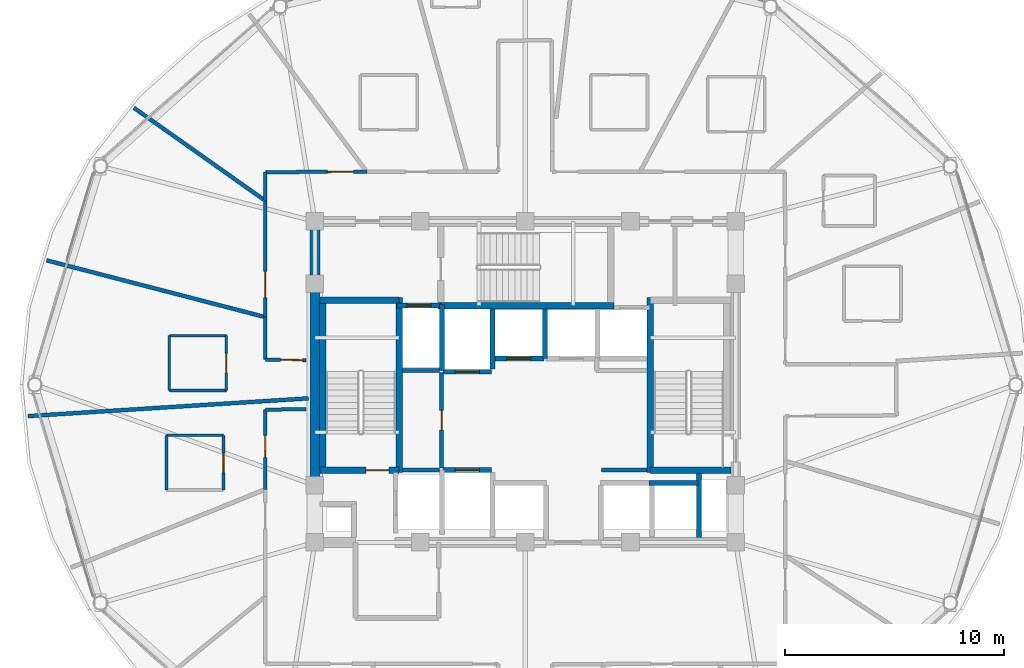
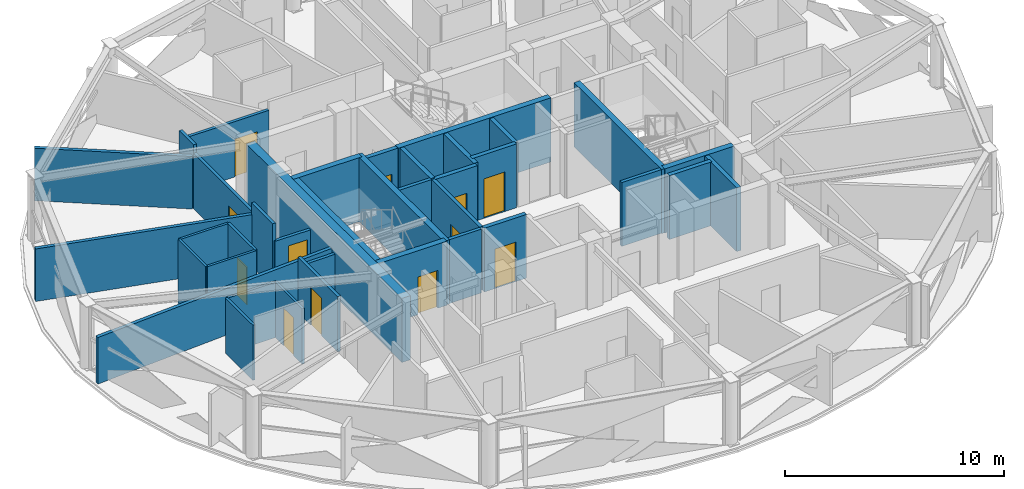
# One storey, part 23 of 30: 38 walls, 12 doors, 12 openings.
"""IFC4 building model written with IfcOpenShell, lengths in metres."""

from ifc_helpers import new_model, si_unit, direction, frame, frame_2d, origin, place, context, subcontext, project, spatial, rectangle, extrude, material, layer, layer_set, type_object, element, fill, save


model = new_model("IFC4")

# Units and contexts
model_context = context("Model", 3, precision=1e-05, world=origin(), true_north=direction((0.0, 1.0)))
body_context = subcontext(model_context, "Body", "Model", "MODEL_VIEW")
ifc_project = project(units=[si_unit("LENGTHUNIT", "METRE"), si_unit("AREAUNIT", "SQUARE_METRE"), si_unit("VOLUMEUNIT", "CUBIC_METRE"), si_unit("PLANEANGLEUNIT", "RADIAN"), si_unit("MASSUNIT", "GRAM", prefix="KILO")], contexts=[model_context])

# Site, building, storey
site_placement = place(None, origin())
site = spatial("IfcSite", under=ifc_project, at=site_placement, CompositionType="ELEMENT")
building_placement = place(site_placement, origin())
building = spatial("IfcBuilding", under=site, at=building_placement, Name="Vantalir Tower", CompositionType="ELEMENT")
storey_placement = place(building_placement, frame((0.0, 0.0, 201.14990234375)))
storey = spatial("IfcBuildingStorey", under=building, at=storey_placement, Name="L50", CompositionType="ELEMENT", Elevation=201.14990234375)

# Walls
ifc_material_1 = material(Name="Moisture-resistant en-suite partition", Category="gypsum")
ifc_layer_1 = layer(ifc_material_1, 0.125)
ifc_layer_set_1 = layer_set([ifc_layer_1], Name="Moisture-resistant en-suite partition")
wall_type_1 = type_object("IfcWallType", Name="WL-BATH-125", PredefinedType="PARTITIONING", material=ifc_layer_set_1)
for number, where, z_axis, x_axis, name in (
    (1, (15.257080078125, 24.73095703125, 0.0), (0.0, 0.0, 1.0), (1.0, 0.0, 0.0), "L50 En-suite 09 South Wall"),
    (2, (15.257080078125, 27.23095703125, 0.0), (0.0, 0.0, 1.0), (1.0, 0.0, 0.0), "L50 En-suite 09 North Wall"),
):
    element("IfcWall", number, at=place(storey_placement, frame(where, z_axis=z_axis, x_axis=x_axis)), inside=storey, type_object=wall_type_1, Name=name, PredefinedType="PARTITIONING", context=body_context, shape_type="SweptSolid", body=[
        extrude(rectangle(XDim=2.599853515625, YDim=0.125, at=frame_2d((1.2998046875, 0.0))), origin(), (0.0, 0.0, 1.0), 3.550048828125),
    ])
wall_1_placement = place(storey_placement, frame((15.257080078125, 24.73095703125, 0.0), z_axis=(0.0, 0.0, 1.0), x_axis=(0.0, 1.0, 0.0)))
element("IfcWall", 3, at=wall_1_placement, inside=storey, type_object=wall_type_1, Name="L50 En-suite 09 West Wall", PredefinedType="PARTITIONING", context=body_context, shape_type="SweptSolid", body=[
    extrude(rectangle(XDim=2.5, YDim=0.125, at=frame_2d((1.25, 0.0))), origin(), (0.0, 0.0, 1.0), 3.550048828125),
])

# Wall, opening, door
wall_2_placement = place(storey_placement, frame((17.85693359375, 24.73095703125, 0.0), z_axis=(0.0, 0.0, 1.0), x_axis=(0.0, 1.0, 0.0)))
wall_2 = element("IfcWall", 4, at=wall_2_placement, inside=storey, type_object=wall_type_1, Name="L50 En-suite 09 East Wall", PredefinedType="PARTITIONING", context=body_context, shape_type="SweptSolid", body=[
    extrude(rectangle(XDim=2.5, YDim=0.125, at=frame_2d((1.25, 0.0))), origin(), (0.0, 0.0, 1.0), 3.550048828125),
])
opening_1_placement = place(wall_2_placement, frame((0.800048828125, 0.0, 0.0)))
opening_1 = element("IfcOpeningElement", 5, at=opening_1_placement, cuts=wall_2, Name="Opening D-WC", PredefinedType="OPENING", context=body_context, shape_type="SweptSolid", body=[
    extrude(rectangle(XDim=0.89990234375, YDim=2.10009765625, at=frame_2d((0.449951171875, 1.050048828125))), frame((0.0, 0.072509765625, 0.0), z_axis=(0.0, -1.0, 0.0), x_axis=(1.0, 0.0, 0.0)), (0.0, 0.0, 1.0), 0.14501953125),
])
ifc_material_2 = material(Name="Moisture-resistant hardwood door", Category="wood")
door_type_1 = type_object("IfcDoorType", Name="DR-ENSUITE-900", OperationType="NOTDEFINED", PredefinedType="DOOR", material=ifc_material_2)
door_1_placement = place(opening_1_placement, origin())
door_1 = element("IfcDoor", 6, at=door_1_placement, inside=storey, type_object=door_type_1, Name="L50 En-suite 09 Door", OperationType="SINGLE_SWING_RIGHT", OverallHeight=2.10009765625, OverallWidth=0.89990234375, PredefinedType="DOOR", context=body_context, shape_type="SweptSolid", body=[
    extrude(rectangle(XDim=0.89990234375, YDim=2.10009765625, at=frame_2d((0.449951171875, 1.050048828125))), frame((0.0, 0.02490234375, 0.0), z_axis=(0.0, -1.0, 0.0), x_axis=(1.0, 0.0, 0.0)), (0.0, 0.0, 1.0), 0.050048828125),
])
fill(opening_1, door_1)

# Walls
wall_3_placement = place(storey_placement, frame((15.1298828125, 22.68896484375, 0.0), z_axis=(0.0, 0.0, 1.0), x_axis=(1.0, 0.0, 0.0)))
element("IfcWall", 7, at=wall_3_placement, inside=storey, type_object=wall_type_1, Name="L50 En-suite 10 North Wall", PredefinedType="PARTITIONING", context=body_context, shape_type="SweptSolid", body=[
    extrude(rectangle(XDim=2.60009765625, YDim=0.125, at=frame_2d((1.300048828125, 0.0))), origin(), (0.0, 0.0, 1.0), 3.0810546875),
])
wall_4_placement = place(storey_placement, frame((15.1298828125, 20.18896484375, 0.0), z_axis=(0.0, 0.0, 1.0), x_axis=(0.0, 1.0, 0.0)))
element("IfcWall", 8, at=wall_4_placement, inside=storey, type_object=wall_type_1, Name="L50 En-suite 10 West Wall", PredefinedType="PARTITIONING", context=body_context, shape_type="SweptSolid", body=[
    extrude(rectangle(XDim=2.5, YDim=0.125, at=frame_2d((1.25, 0.0))), origin(), (0.0, 0.0, 1.0), 3.0810546875),
])

# Wall, opening, door
wall_5_placement = place(storey_placement, frame((17.72998046875, 20.18896484375, 0.0), z_axis=(0.0, 0.0, 1.0), x_axis=(0.0, 1.0, 0.0)))
wall_5 = element("IfcWall", 9, at=wall_5_placement, inside=storey, type_object=wall_type_1, Name="L50 En-suite 10 East Wall", PredefinedType="PARTITIONING", context=body_context, shape_type="SweptSolid", body=[
    extrude(rectangle(XDim=2.5, YDim=0.125, at=frame_2d((1.25, 0.0))), origin(), (0.0, 0.0, 1.0), 3.0810546875),
])
opening_2_placement = place(wall_5_placement, frame((0.800048828125, 0.0, 0.0)))
opening_2 = element("IfcOpeningElement", 10, at=opening_2_placement, cuts=wall_5, Name="Opening D-WC", PredefinedType="OPENING", context=body_context, shape_type="SweptSolid", body=[
    extrude(rectangle(XDim=0.89990234375, YDim=2.10009765625, at=frame_2d((0.449951171875, 1.050048828125))), frame((0.0, 0.072509765625, 0.0), z_axis=(0.0, -1.0, 0.0), x_axis=(1.0, 0.0, 0.0)), (0.0, 0.0, 1.0), 0.14501953125),
])
door_2_placement = place(opening_2_placement, origin())
door_2 = element("IfcDoor", 11, at=door_2_placement, inside=storey, type_object=door_type_1, Name="L50 En-suite 10 Door", OperationType="SINGLE_SWING_LEFT", OverallHeight=2.10009765625, OverallWidth=0.89990234375, PredefinedType="DOOR", context=body_context, shape_type="SweptSolid", body=[
    extrude(rectangle(XDim=0.89990234375, YDim=2.10009765625, at=frame_2d((0.449951171875, 1.050048828125))), frame((0.0, 0.02490234375, 0.0), z_axis=(0.0, -1.0, 0.0), x_axis=(1.0, 0.0, 0.0)), (0.0, 0.0, 1.0), 0.050048828125),
])
fill(opening_2, door_2)

# Wall
ifc_material_3 = material(Name="Concrete C50/60", Category="concrete")
ifc_layer_2 = layer(ifc_material_3, 0.449951171875)
ifc_layer_set_2 = layer_set([ifc_layer_2], Name="Concrete C50/60")
wall_type_2 = type_object("IfcWallType", Name="WL-CORE-450", PredefinedType="SHEAR", material=ifc_layer_set_2)
wall_6_placement = place(storey_placement, frame((21.89990234375, 18.02490234375, 0.0), z_axis=(0.0, 0.0, 1.0), x_axis=(0.0, 1.0, 0.0)))
element("IfcWall", 12, at=wall_6_placement, inside=storey, type_object=wall_type_2, Name="L50 Core Shear Wall West", PredefinedType="SHEAR", context=body_context, shape_type="SweptSolid", body=[
    extrude(rectangle(XDim=14.2001953125, YDim=0.449951171875, at=frame_2d((7.10009765625, 0.0))), origin(), (0.0, 0.0, 1.0), 3.570068359375),
])

# Wall, opening, door
ifc_material_4 = material(Name="Fire-rated hotel corridor acoustic partition", Category="gypsum")
ifc_layer_3 = layer(ifc_material_4, 0.159912109375)
ifc_layer_set_3 = layer_set([ifc_layer_3], Name="Fire-rated hotel corridor acoustic partition")
wall_type_3 = type_object("IfcWallType", Name="WL-CORR-160", PredefinedType="PARTITIONING", material=ifc_layer_set_3)
wall_7_placement = place(storey_placement, frame((21.4951171875, 26.116943359375, 0.0), z_axis=(0.0, 0.0, 1.0), x_axis=(-0.999908537082, 0.013524698532, 0.0)))
wall_7 = element("IfcWall", 13, at=wall_7_placement, inside=storey, type_object=wall_type_3, Name="L50 Corridor Partition 01", PredefinedType="PARTITIONING", context=body_context, shape_type="SweptSolid", body=[
    extrude(rectangle(XDim=1.859375, YDim=0.159912109375, at=frame_2d((0.9296875, 0.0))), origin(), (0.0, 0.0, 1.0), 2.59521484375),
])
opening_3_placement = place(wall_7_placement, frame((0.159912109375, 0.0, 0.0)))
opening_3 = element("IfcOpeningElement", 14, at=opening_3_placement, cuts=wall_7, Name="Opening D-GUEST", PredefinedType="OPENING", context=body_context, shape_type="SweptSolid", body=[
    extrude(rectangle(XDim=1.0, YDim=2.10009765625, at=frame_2d((0.5, 1.050048828125))), frame((0.0, 0.08984375, 0.0), z_axis=(0.0, -1.0, 0.0), x_axis=(1.0, 0.0, 0.0)), (0.0, 0.0, 1.0), 0.179931640625),
])
ifc_material_5 = material(Name="Solid-core teak veneer acoustic fire door", Category="wood")
door_type_2 = type_object("IfcDoorType", Name="DR-GUEST-ENTRY-1000", OperationType="NOTDEFINED", PredefinedType="DOOR", material=ifc_material_5)
door_3_placement = place(opening_3_placement, origin())
door_3 = element("IfcDoor", 15, at=door_3_placement, inside=storey, type_object=door_type_2, Name="L50 Twin Queen Hotel Room 09 Door", OperationType="SINGLE_SWING_RIGHT", OverallHeight=2.10009765625, OverallWidth=1.0, PredefinedType="DOOR", context=body_context, shape_type="SweptSolid", body=[
    extrude(rectangle(XDim=1.0, YDim=2.10009765625, at=frame_2d((0.5, 1.050048828125))), frame((0.0, 0.02490234375, 0.0), z_axis=(0.0, -1.0, 0.0), x_axis=(1.0, 0.0, 0.0)), (0.0, 0.0, 1.0), 0.050048828125),
])
fill(opening_3, door_3)

# Wall
wall_8_placement = place(storey_placement, frame((19.635986328125, 26.14208984375, 0.0), z_axis=(0.0, 0.0, 1.0), x_axis=(0.001008318116, 0.999999491647, 0.0)))
element("IfcWall", 16, at=wall_8_placement, inside=storey, type_object=wall_type_3, Name="L50 Corridor Partition 02", PredefinedType="PARTITIONING", context=body_context, shape_type="SweptSolid", body=[
    extrude(rectangle(XDim=1.93701171875, YDim=0.159912109375, at=frame_2d((0.968505859375, 0.0))), origin(), (0.0, 0.0, 1.0), 3.550048828125),
])

# Wall, opening, door
wall_9_placement = place(storey_placement, frame((19.637939453125, 28.0791015625, 0.0), z_axis=(0.0, 0.0, 1.0), x_axis=(0.000966094226, 0.999999533331, 0.0)))
wall_9 = element("IfcWall", 17, at=wall_9_placement, inside=storey, type_object=wall_type_3, Name="L50 Corridor Partition 03", PredefinedType="PARTITIONING", context=body_context, shape_type="SweptSolid", body=[
    extrude(rectangle(XDim=5.306884765625, YDim=0.159912109375, at=frame_2d((2.6533203125, 0.0))), origin(), (0.0, 0.0, 1.0), 3.0810546875),
])
opening_4_placement = place(wall_9_placement, frame((0.887939453125, 0.0, 0.0)))
opening_4 = element("IfcOpeningElement", 18, at=opening_4_placement, cuts=wall_9, Name="Opening D-STE", PredefinedType="OPENING", context=body_context, shape_type="SweptSolid", body=[
    extrude(rectangle(XDim=1.199951171875, YDim=2.10009765625, at=frame_2d((0.60009765625, 1.050048828125))), frame((0.0, 0.08984375, 0.0), z_axis=(0.0, -1.0, 0.0), x_axis=(1.0, 0.0, 0.0)), (0.0, 0.0, 1.0), 0.179931640625),
])
ifc_material_6 = material(Name="Solid-core teak veneer suite entrance door", Category="wood")
door_type_3 = type_object("IfcDoorType", Name="DR-SUITE-ENTRY-1200", OperationType="NOTDEFINED", PredefinedType="DOOR", material=ifc_material_6)
door_4_placement = place(opening_4_placement, origin())
door_4 = element("IfcDoor", 19, at=door_4_placement, inside=storey, type_object=door_type_3, Name="L50 Club Reading Lounge 08 Door", OperationType="SINGLE_SWING_LEFT", OverallHeight=2.10009765625, OverallWidth=1.199951171875, PredefinedType="DOOR", context=body_context, shape_type="SweptSolid", body=[
    extrude(rectangle(XDim=1.199951171875, YDim=2.10009765625, at=frame_2d((0.60009765625, 1.050048828125))), frame((0.0, 0.02490234375, 0.0), z_axis=(0.0, -1.0, 0.0), x_axis=(1.0, 0.0, 0.0)), (0.0, 0.0, 1.0), 0.050048828125),
])
fill(opening_4, door_4)

# Wall
wall_10_placement = place(storey_placement, frame((19.64306640625, 33.385986328125, 0.0), z_axis=(0.0, 0.0, 1.0), x_axis=(0.000743217929, 0.999999723814, 0.0)))
element("IfcWall", 20, at=wall_10_placement, inside=storey, type_object=wall_type_3, Name="L50 Corridor Partition 04", PredefinedType="PARTITIONING", context=body_context, shape_type="SweptSolid", body=[
    extrude(rectangle(XDim=1.31396484375, YDim=0.159912109375, at=frame_2d((0.656982421875, 0.0))), origin(), (0.0, 0.0, 1.0), 3.550048828125),
])

# Wall, opening, door
wall_11_placement = place(storey_placement, frame((19.64404296875, 34.699951171875, 0.0), z_axis=(0.0, 0.0, 1.0), x_axis=(0.99999882779, 0.001531149208, 0.0)))
wall_11 = element("IfcWall", 21, at=wall_11_placement, inside=storey, type_object=wall_type_3, Name="L50 Corridor Partition 05", PredefinedType="PARTITIONING", context=body_context, shape_type="SweptSolid", body=[
    extrude(rectangle(XDim=4.6240234375, YDim=0.159912109375, at=frame_2d((2.31201171875, 0.0))), origin(), (0.0, 0.0, 1.0), 3.0810546875),
])
opening_5_placement = place(wall_11_placement, frame((2.821044921875, 0.0, 0.0)))
opening_5 = element("IfcOpeningElement", 22, at=opening_5_placement, cuts=wall_11, Name="Opening D-STE", PredefinedType="OPENING", context=body_context, shape_type="SweptSolid", body=[
    extrude(rectangle(XDim=1.199951171875, YDim=2.10009765625, at=frame_2d((0.60009765625, 1.050048828125))), frame((0.0, 0.08984375, 0.0), z_axis=(0.0, -1.0, 0.0), x_axis=(1.0, 0.0, 0.0)), (0.0, 0.0, 1.0), 0.179931640625),
])
door_5_placement = place(opening_5_placement, origin())
door_5 = element("IfcDoor", 23, at=door_5_placement, inside=storey, type_object=door_type_3, Name="L50 Executive Business Study 07 Door", OperationType="SINGLE_SWING_RIGHT", OverallHeight=2.10009765625, OverallWidth=1.199951171875, PredefinedType="DOOR", context=body_context, shape_type="SweptSolid", body=[
    extrude(rectangle(XDim=1.199951171875, YDim=2.10009765625, at=frame_2d((0.60009765625, 1.050048828125))), frame((0.0, 0.02490234375, 0.0), z_axis=(0.0, -1.0, 0.0), x_axis=(1.0, 0.0, 0.0)), (0.0, 0.0, 1.0), 0.050048828125),
])
fill(opening_5, door_5)

wall_12_placement = place(storey_placement, frame((19.636962890625, 20.218994140625, 0.0), z_axis=(0.0, 0.0, 1.0), x_axis=(-0.000537309346, 0.999999855649, 0.0)))
wall_12 = element("IfcWall", 24, at=wall_12_placement, inside=storey, type_object=wall_type_3, Name="L50 Corridor Partition 34", PredefinedType="PARTITIONING", context=body_context, shape_type="SweptSolid", body=[
    extrude(rectangle(XDim=3.635009765625, YDim=0.159912109375, at=frame_2d((1.8173828125, 0.0))), origin(), (0.0, 0.0, 1.0), 3.0810546875),
])
opening_6_placement = place(wall_12_placement, frame((1.4619140625, 0.0, 0.0)))
opening_6 = element("IfcOpeningElement", 25, at=opening_6_placement, cuts=wall_12, Name="Opening D-GUEST", PredefinedType="OPENING", context=body_context, shape_type="SweptSolid", body=[
    extrude(rectangle(XDim=1.0, YDim=2.10009765625, at=frame_2d((0.5, 1.050048828125))), frame((0.0, 0.08984375, 0.0), z_axis=(0.0, -1.0, 0.0), x_axis=(1.0, 0.0, 0.0)), (0.0, 0.0, 1.0), 0.179931640625),
])
door_6_placement = place(opening_6_placement, origin())
door_6 = element("IfcDoor", 26, at=door_6_placement, inside=storey, type_object=door_type_2, Name="L50 Deluxe King Hotel Room 10 Door", OperationType="SINGLE_SWING_LEFT", OverallHeight=2.10009765625, OverallWidth=1.0, PredefinedType="DOOR", context=body_context, shape_type="SweptSolid", body=[
    extrude(rectangle(XDim=1.0, YDim=2.10009765625, at=frame_2d((0.5, 1.050048828125))), frame((0.0, 0.02490234375, 0.0), z_axis=(0.0, -1.0, 0.0), x_axis=(1.0, 0.0, 0.0)), (0.0, 0.0, 1.0), 0.050048828125),
])
fill(opening_6, door_6)

# Walls
wall_13_placement = place(storey_placement, frame((19.635009765625, 23.85400390625, 0.0), z_axis=(0.0, 0.0, 1.0), x_axis=(0.999886107392, 0.015092125259, 0.0)))
element("IfcWall", 27, at=wall_13_placement, inside=storey, type_object=wall_type_3, Name="L50 Corridor Partition 35", PredefinedType="PARTITIONING", context=body_context, shape_type="SweptSolid", body=[
    extrude(rectangle(XDim=1.8603515625, YDim=0.159912109375, at=frame_2d((0.93017578125, 0.0))), origin(), (0.0, 0.0, 1.0), 2.59521484375),
])
ifc_material_7 = material(Name="Concrete blockwork with fireboard lining", Category="masonry")
ifc_layer_4 = layer(ifc_material_7, 0.219970703125)
ifc_layer_set_4 = layer_set([ifc_layer_4], Name="Concrete blockwork with fireboard lining")
wall_type_4 = type_object("IfcWallType", Name="WL-FFL-220", PredefinedType="PARTITIONING", material=ifc_layer_set_4)
wall_14_placement = place(storey_placement, frame((30.0, 25.7099609375, 0.0), z_axis=(0.0, 0.0, 1.0), x_axis=(0.0, 1.0, 0.0)))
element("IfcWall", 28, at=wall_14_placement, inside=storey, type_object=wall_type_4, Name="L50 Service Lift SV2 East Shaft Wall", PredefinedType="PARTITIONING", context=body_context, shape_type="SweptSolid", body=[
    extrude(rectangle(XDim=2.72998046875, YDim=0.219970703125, at=frame_2d((1.364990234375, 0.0))), origin(), (0.0, 0.0, 1.0), 3.545166015625),
])
wall_15_placement = place(storey_placement, frame((32.39990234375, 26.199951171875, 0.0), z_axis=(0.0, 0.0, 1.0), x_axis=(0.0, 1.0, 0.0)))
element("IfcWall", 29, at=wall_15_placement, inside=storey, type_object=wall_type_4, Name="L50 High-Rise Lift PL-H1/H2 Shaft Divider", PredefinedType="PARTITIONING", context=body_context, shape_type="SweptSolid", body=[
    extrude(rectangle(XDim=2.239990234375, YDim=0.219970703125, at=frame_2d((1.1201171875, 0.0))), origin(), (0.0, 0.0, 1.0), 3.545166015625),
])
wall_16_placement = place(storey_placement, frame((39.419921875, 18.02490234375, 0.0), z_axis=(0.0, 0.0, 1.0), x_axis=(0.0, 1.0, 0.0)))
element("IfcWall", 30, at=wall_16_placement, inside=storey, type_object=wall_type_4, Name="L50 East MEP Riser Wall W", PredefinedType="PARTITIONING", context=body_context, shape_type="SweptSolid", body=[
    extrude(rectangle(XDim=2.925048828125, YDim=0.219970703125, at=frame_2d((1.46240234375, 0.0))), origin(), (0.0, 0.0, 1.0), 3.550048828125),
])

# Wall, opening, door
wall_17_placement = place(storey_placement, frame((25.639892578125, 28.610107421875, 0.0), z_axis=(0.0, 0.0, 1.0), x_axis=(1.0, 0.0, 0.0)))
wall_17 = element("IfcWall", 31, at=wall_17_placement, inside=storey, type_object=wall_type_4, Name="L50 Lift FL2 Shaft Front Wall", PredefinedType="PARTITIONING", context=body_context, shape_type="SweptSolid", body=[
    extrude(rectangle(XDim=2.02001953125, YDim=0.219970703125, at=frame_2d((1.010009765625, 0.0))), origin(), (0.0, 0.0, 1.0), 3.550048828125),
])
opening_7_placement = place(wall_17_placement, frame((0.4599609375, 0.0, 0.0)))
opening_7 = element("IfcOpeningElement", 32, at=opening_7_placement, cuts=wall_17, Name="Opening LD-FL2", PredefinedType="OPENING", context=body_context, shape_type="SweptSolid", body=[
    extrude(rectangle(XDim=1.10009765625, YDim=2.199951171875, at=frame_2d((0.550048828125, 1.10009765625))), frame((0.0, 0.119873046875, 0.0), z_axis=(0.0, -1.0, 0.0), x_axis=(1.0, 0.0, 0.0)), (0.0, 0.0, 1.0), 0.239990234375),
])
ifc_material_8 = material(Name="Brushed stainless-steel sliding lift landing door", Category="steel")
door_type_4 = type_object("IfcDoorType", Name="DR-LIFT-LANDING-1100", OperationType="DOUBLE_DOOR_SLIDING", PredefinedType="DOOR", material=ifc_material_8)
door_7_placement = place(opening_7_placement, origin())
door_7 = element("IfcDoor", 33, at=door_7_placement, inside=storey, type_object=door_type_4, Name="L50 Lift Landing Door FL2", OperationType="DOUBLE_DOOR_SLIDING", OverallHeight=2.199951171875, OverallWidth=1.10009765625, PredefinedType="DOOR", context=body_context, shape_type="SweptSolid", body=[
    extrude(rectangle(XDim=1.10009765625, YDim=2.199951171875, at=frame_2d((0.550048828125, 1.10009765625))), frame((0.0, 0.02490234375, 0.0), z_axis=(0.0, -1.0, 0.0), x_axis=(1.0, 0.0, 0.0)), (0.0, 0.0, 1.0), 0.050048828125),
])
fill(opening_7, door_7)

wall_18_placement = place(storey_placement, frame((27.739990234375, 21.110107421875, 0.0), z_axis=(0.0, 0.0, 1.0), x_axis=(1.0, 0.0, 0.0)))
wall_18 = element("IfcWall", 34, at=wall_18_placement, inside=storey, type_object=wall_type_4, Name="L50 Lift SV1 Shaft Front Wall", PredefinedType="PARTITIONING", context=body_context, shape_type="SweptSolid", body=[
    extrude(rectangle(XDim=2.219970703125, YDim=0.219970703125, at=frame_2d((1.10986328125, 0.0))), origin(), (0.0, 0.0, 1.0), 3.550048828125),
])
opening_8_placement = place(wall_18_placement, frame((0.56005859375, 0.0, 0.0)))
opening_8 = element("IfcOpeningElement", 35, at=opening_8_placement, cuts=wall_18, Name="Opening LD-SV1", PredefinedType="OPENING", context=body_context, shape_type="SweptSolid", body=[
    extrude(rectangle(XDim=1.10009765625, YDim=2.199951171875, at=frame_2d((0.550048828125, 1.10009765625))), frame((0.0, 0.119873046875, 0.0), z_axis=(0.0, -1.0, 0.0), x_axis=(1.0, 0.0, 0.0)), (0.0, 0.0, 1.0), 0.239990234375),
])
door_8_placement = place(opening_8_placement, origin())
door_8 = element("IfcDoor", 36, at=door_8_placement, inside=storey, type_object=door_type_4, Name="L50 Lift Landing Door SV1", OperationType="DOUBLE_DOOR_SLIDING", OverallHeight=2.199951171875, OverallWidth=1.10009765625, PredefinedType="DOOR", context=body_context, shape_type="SweptSolid", body=[
    extrude(rectangle(XDim=1.10009765625, YDim=2.199951171875, at=frame_2d((0.550048828125, 1.10009765625))), frame((0.0, 0.02490234375, 0.0), z_axis=(0.0, -1.0, 0.0), x_axis=(1.0, 0.0, 0.0)), (0.0, 0.0, 1.0), 0.050048828125),
])
fill(opening_8, door_8)

wall_19_placement = place(storey_placement, frame((27.739990234375, 25.590087890625, 0.0), z_axis=(0.0, 0.0, 1.0), x_axis=(1.0, 0.0, 0.0)))
wall_19 = element("IfcWall", 37, at=wall_19_placement, inside=storey, type_object=wall_type_4, Name="L50 Lift SV2 Shaft Front Wall", PredefinedType="PARTITIONING", context=body_context, shape_type="SweptSolid", body=[
    extrude(rectangle(XDim=2.219970703125, YDim=0.219970703125, at=frame_2d((1.10986328125, 0.0))), origin(), (0.0, 0.0, 1.0), 3.550048828125),
])
opening_9_placement = place(wall_19_placement, frame((0.56005859375, 0.0, 0.0)))
opening_9 = element("IfcOpeningElement", 38, at=opening_9_placement, cuts=wall_19, Name="Opening LD-SV2", PredefinedType="OPENING", context=body_context, shape_type="SweptSolid", body=[
    extrude(rectangle(XDim=1.10009765625, YDim=2.199951171875, at=frame_2d((0.550048828125, 1.10009765625))), frame((0.0, 0.119873046875, 0.0), z_axis=(0.0, -1.0, 0.0), x_axis=(1.0, 0.0, 0.0)), (0.0, 0.0, 1.0), 0.239990234375),
])
door_9_placement = place(opening_9_placement, frame((1.10009765625, 0.0, 0.0), z_axis=(0.0, 0.0, 1.0), x_axis=(-1.0, 0.0, 0.0)))
door_9 = element("IfcDoor", 39, at=door_9_placement, inside=storey, type_object=door_type_4, Name="L50 Lift Landing Door SV2", OperationType="DOUBLE_DOOR_SLIDING", OverallHeight=2.199951171875, OverallWidth=1.10009765625, PredefinedType="DOOR", context=body_context, shape_type="SweptSolid", body=[
    extrude(rectangle(XDim=1.10009765625, YDim=2.199951171875, at=frame_2d((0.550048828125, 1.10009765625))), frame((0.0, 0.02490234375, 0.0), z_axis=(0.0, -1.0, 0.0), x_axis=(1.0, 0.0, 0.0)), (0.0, 0.0, 1.0), 0.050048828125),
])
fill(opening_9, door_9)

# Wall
wall_20_placement = place(storey_placement, frame((37.139892578125, 20.510009765625, 0.0), z_axis=(0.0, 0.0, 1.0), x_axis=(1.0, 0.0, 0.0)))
element("IfcWall", 40, at=wall_20_placement, inside=storey, type_object=wall_type_4, Name="L50 Lift PL-X2 Shaft Rear Wall", PredefinedType="PARTITIONING", context=body_context, shape_type="SweptSolid", body=[
    extrude(rectangle(XDim=2.239990234375, YDim=0.219970703125, at=frame_2d((1.1201171875, 0.0))), origin(), (0.0, 0.0, 1.0), 3.550048828125),
])

# Wall, opening, door
wall_21_placement = place(storey_placement, frame((30.0400390625, 26.18994140625, 0.0), z_axis=(0.0, 0.0, 1.0), x_axis=(1.0, 0.0, 0.0)))
wall_21 = element("IfcWall", 41, at=wall_21_placement, inside=storey, type_object=wall_type_4, Name="L50 Lift PL-H1 Shaft Front Wall", PredefinedType="PARTITIONING", context=body_context, shape_type="SweptSolid", body=[
    extrude(rectangle(XDim=2.320068359375, YDim=0.219970703125, at=frame_2d((1.16015625, 0.0))), origin(), (0.0, 0.0, 1.0), 3.550048828125),
])
opening_10_placement = place(wall_21_placement, frame((0.610107421875, 0.0, 0.0)))
opening_10 = element("IfcOpeningElement", 42, at=opening_10_placement, cuts=wall_21, Name="Opening LD-PL-H1", PredefinedType="OPENING", context=body_context, shape_type="SweptSolid", body=[
    extrude(rectangle(XDim=1.10009765625, YDim=2.199951171875, at=frame_2d((0.550048828125, 1.10009765625))), frame((0.0, 0.119873046875, 0.0), z_axis=(0.0, -1.0, 0.0), x_axis=(1.0, 0.0, 0.0)), (0.0, 0.0, 1.0), 0.239990234375),
])
door_10_placement = place(opening_10_placement, frame((1.10009765625, 0.0, 0.0), z_axis=(0.0, 0.0, 1.0), x_axis=(-1.0, 0.0, 0.0)))
door_10 = element("IfcDoor", 43, at=door_10_placement, inside=storey, type_object=door_type_4, Name="L50 Lift Landing Door PL-H1", OperationType="DOUBLE_DOOR_SLIDING", OverallHeight=2.199951171875, OverallWidth=1.10009765625, PredefinedType="DOOR", context=body_context, shape_type="SweptSolid", body=[
    extrude(rectangle(XDim=1.10009765625, YDim=2.199951171875, at=frame_2d((0.550048828125, 1.10009765625))), frame((0.0, 0.02490234375, 0.0), z_axis=(0.0, -1.0, 0.0), x_axis=(1.0, 0.0, 0.0)), (0.0, 0.0, 1.0), 0.050048828125),
])
fill(opening_10, door_10)

# Walls
wall_22_placement = place(storey_placement, frame((27.699951171875, 25.64990234375, 0.0), z_axis=(0.0, 0.0, 1.0), x_axis=(0.0, 1.0, 0.0)))
element("IfcWall", 44, at=wall_22_placement, inside=storey, type_object=wall_type_4, Name="L50 Fire Lift FL2 Dividing Wall", PredefinedType="PARTITIONING", context=body_context, shape_type="SweptSolid", body=[
    extrude(rectangle(XDim=3.0, YDim=0.219970703125, at=frame_2d((1.5, 0.0))), origin(), (0.0, 0.0, 1.0), 3.550048828125),
])
ifc_material_9 = material(Name="Twin-stud acoustic fire-rated gypsum partition", Category="gypsum")
ifc_layer_5 = layer(ifc_material_9, 0.179931640625)
ifc_layer_set_5 = layer_set([ifc_layer_5], Name="Twin-stud acoustic fire-rated gypsum partition")
wall_type_5 = type_object("IfcWallType", Name="WL-GUEST-180", PredefinedType="PARTITIONING", material=ifc_layer_set_5)
for number, where, z_axis, x_axis, name in (
    (45, (25.889892578125, 21.10009765625, 0.0), (0.0, 0.0, 1.0), (1.0, 0.0, 0.0), "L50 Freed West Core South Wall"),
    (46, (25.889892578125, 25.64990234375, 0.0), (0.0, 0.0, 1.0), (1.0, 0.0, 0.0), "L50 Freed West Core North Wall"),
):
    element("IfcWall", number, at=place(storey_placement, frame(where, z_axis=z_axis, x_axis=x_axis)), inside=storey, type_object=wall_type_5, Name=name, PredefinedType="PARTITIONING", context=body_context, shape_type="SweptSolid", body=[
        extrude(rectangle(XDim=1.7001953125, YDim=0.179931640625, at=frame_2d((0.85009765625, 0.0))), origin(), (0.0, 0.0, 1.0), 3.550048828125),
    ])

# Wall, opening, door
wall_23_placement = place(storey_placement, frame((27.679931640625, 21.18994140625, 0.0), z_axis=(0.0, 0.0, 1.0), x_axis=(0.0, 1.0, 0.0)))
wall_23 = element("IfcWall", 47, at=wall_23_placement, inside=storey, type_object=wall_type_5, Name="L50 West Pantry East Wall", PredefinedType="PARTITIONING", context=body_context, shape_type="SweptSolid", body=[
    extrude(rectangle(XDim=4.3701171875, YDim=0.179931640625, at=frame_2d((2.18505859375, 0.0))), origin(), (0.0, 0.0, 1.0), 3.550048828125),
])
opening_11_placement = place(wall_23_placement, frame((1.735107421875, 0.0, 0.0)))
opening_11 = element("IfcOpeningElement", 48, at=opening_11_placement, cuts=wall_23, Name="Opening D-CR", PredefinedType="OPENING", context=body_context, shape_type="SweptSolid", body=[
    extrude(rectangle(XDim=0.89990234375, YDim=2.10009765625, at=frame_2d((0.449951171875, 1.050048828125))), frame((0.0, 0.099853515625, 0.0), z_axis=(0.0, -1.0, 0.0), x_axis=(1.0, 0.0, 0.0)), (0.0, 0.0, 1.0), 0.199951171875),
])
ifc_material_10 = material(Name="Fire-rated steel core service door", Category="steel")
door_type_5 = type_object("IfcDoorType", Name="DR-CORE-SERV-900", OperationType="NOTDEFINED", PredefinedType="DOOR", material=ifc_material_10)
door_11_placement = place(opening_11_placement, origin())
door_11 = element("IfcDoor", 49, at=door_11_placement, inside=storey, type_object=door_type_5, Name="L50 Core Pantry Door", OperationType="SINGLE_SWING_LEFT", OverallHeight=2.10009765625, OverallWidth=0.89990234375, PredefinedType="DOOR", context=body_context, shape_type="SweptSolid", body=[
    extrude(rectangle(XDim=0.89990234375, YDim=2.10009765625, at=frame_2d((0.449951171875, 1.050048828125))), frame((0.0, 0.02490234375, 0.0), z_axis=(0.0, -1.0, 0.0), x_axis=(1.0, 0.0, 0.0)), (0.0, 0.0, 1.0), 0.050048828125),
])
fill(opening_11, door_11)

# Walls
wall_24_placement = place(storey_placement, frame((34.97998046875, 21.10009765625, 0.0), z_axis=(0.0, 0.0, 1.0), x_axis=(1.0, 0.0, 0.0)))
element("IfcWall", 50, at=wall_24_placement, inside=storey, type_object=wall_type_5, Name="L50 Freed East Core South Wall", PredefinedType="PARTITIONING", context=body_context, shape_type="SweptSolid", body=[
    extrude(rectangle(XDim=2.080078125, YDim=0.179931640625, at=frame_2d((1.0400390625, 0.0))), origin(), (0.0, 0.0, 1.0), 3.550048828125),
])
wall_25_placement = place(storey_placement, frame((19.56005859375, 33.445068359375, 0.0), z_axis=(0.0, 0.0, 1.0), x_axis=(-0.816503567905, 0.577340387984, 0.0)))
element("IfcWall", 51, at=wall_25_placement, inside=storey, type_object=wall_type_5, Name="L50 Radial Suite Partition 08", PredefinedType="PARTITIONING", context=body_context, shape_type="SweptSolid", body=[
    extrude(rectangle(XDim=7.246826171875, YDim=0.179931640625, at=frame_2d((3.62353515625, 0.0))), origin(), (0.0, 0.0, 1.0), 2.925048828125),
])
wall_26_placement = place(storey_placement, frame((19.56005859375, 28.10009765625, 0.0), z_axis=(0.0, 0.0, 1.0), x_axis=(-0.967923651935, 0.251244510436, 0.0)))
element("IfcWall", 52, at=wall_26_placement, inside=storey, type_object=wall_type_5, Name="L50 Radial Suite Partition 09", PredefinedType="PARTITIONING", context=body_context, shape_type="SweptSolid", body=[
    extrude(rectangle(XDim=10.232177734375, YDim=0.179931640625, at=frame_2d((5.1162109375, 0.0))), origin(), (0.0, 0.0, 1.0), 2.925048828125),
])
wall_27_placement = place(storey_placement, frame((21.60009765625, 24.373046875, 0.0), z_axis=(0.0, 0.0, 1.0), x_axis=(-0.998000649979, -0.063203660036, 0.0)))
element("IfcWall", 53, at=wall_27_placement, inside=storey, type_object=wall_type_5, Name="L50 Radial Suite Partition 10", PredefinedType="PARTITIONING", context=body_context, shape_type="SweptSolid", body=[
    extrude(rectangle(XDim=12.816650390625, YDim=0.179931640625, at=frame_2d((6.408203125, 0.0))), origin(), (0.0, 0.0, 1.0), 2.59521484375),
])

# Wall, opening, door
ifc_layer_6 = layer(ifc_material_3, 0.300048828125)
ifc_layer_set_6 = layer_set([ifc_layer_6], Name="Concrete C50/60")
wall_type_6 = type_object("IfcWallType", Name="WL-STAIR-300", PredefinedType="SHEAR", material=ifc_layer_set_6)
wall_28_placement = place(storey_placement, frame((22.125, 21.10009765625, 0.0), z_axis=(0.0, 0.0, 1.0), x_axis=(1.0, 0.0, 0.0)))
wall_28 = element("IfcWall", 54, at=wall_28_placement, inside=storey, type_object=wall_type_6, Name="L50 Stair ST1 South Wall", PredefinedType="SHEAR", context=body_context, shape_type="SweptSolid", body=[
    extrude(rectangle(XDim=3.614990234375, YDim=0.300048828125, at=frame_2d((1.8076171875, 0.0))), origin(), (0.0, 0.0, 1.0), 3.570068359375),
])
opening_12_placement = place(wall_28_placement, frame((2.094970703125, 0.0, 0.0)))
opening_12 = element("IfcOpeningElement", 55, at=opening_12_placement, cuts=wall_28, Name="Opening D-ST", PredefinedType="OPENING", context=body_context, shape_type="SweptSolid", body=[
    extrude(rectangle(XDim=1.050048828125, YDim=2.10009765625, at=frame_2d((0.52490234375, 1.050048828125))), frame((0.0, 0.159912109375, 0.0), z_axis=(0.0, -1.0, 0.0), x_axis=(1.0, 0.0, 0.0)), (0.0, 0.0, 1.0), 0.320068359375),
])
ifc_material_11 = material(Name="Fire-rated steel door leaf", Category="steel")
door_type_6 = type_object("IfcDoorType", Name="DR-FIRE-STAIR-1050", OperationType="NOTDEFINED", PredefinedType="DOOR", material=ifc_material_11)
door_12_placement = place(opening_12_placement, origin())
door_12 = element("IfcDoor", 56, at=door_12_placement, inside=storey, type_object=door_type_6, Name="L50 Exit Stair ST1 Fire Door", OperationType="SINGLE_SWING_LEFT", OverallHeight=2.10009765625, OverallWidth=1.050048828125, PredefinedType="DOOR", context=body_context, shape_type="SweptSolid", body=[
    extrude(rectangle(XDim=1.050048828125, YDim=2.10009765625, at=frame_2d((0.52490234375, 1.050048828125))), frame((0.0, 0.02490234375, 0.0), z_axis=(0.0, -1.0, 0.0), x_axis=(1.0, 0.0, 0.0)), (0.0, 0.0, 1.0), 0.050048828125),
])
fill(opening_12, door_12)

# Walls
wall_29_placement = place(storey_placement, frame((22.125, 28.85009765625, 0.0), z_axis=(0.0, 0.0, 1.0), x_axis=(1.0, 0.0, 0.0)))
element("IfcWall", 57, at=wall_29_placement, inside=storey, type_object=wall_type_6, Name="L50 Stair ST1 North Wall", PredefinedType="SHEAR", context=body_context, shape_type="SweptSolid", body=[
    extrude(rectangle(XDim=3.614990234375, YDim=0.300048828125, at=frame_2d((1.8076171875, 0.0))), origin(), (0.0, 0.0, 1.0), 3.570068359375),
])
wall_30_placement = place(storey_placement, frame((25.739990234375, 20.97998046875, 0.0), z_axis=(0.0, 0.0, 1.0), x_axis=(0.0, 1.0, 0.0)))
element("IfcWall", 58, at=wall_30_placement, inside=storey, type_object=wall_type_6, Name="L50 Stair ST1 East Wall", PredefinedType="SHEAR", context=body_context, shape_type="SweptSolid", body=[
    extrude(rectangle(XDim=7.989990234375, YDim=0.300048828125, at=frame_2d((3.9951171875, 0.0))), origin(), (0.0, 0.0, 1.0), 3.570068359375),
])
wall_31_placement = place(storey_placement, frame((22.260009765625, 21.10009765625, 0.0), z_axis=(0.0, 0.0, 1.0), x_axis=(0.0, 1.0, 0.0)))
element("IfcWall", 59, at=wall_31_placement, inside=storey, type_object=wall_type_6, Name="L50 Stair ST1 West Liner Wall", PredefinedType="SHEAR", context=body_context, shape_type="SweptSolid", body=[
    extrude(rectangle(XDim=7.75, YDim=0.300048828125, at=frame_2d((3.875, 0.0))), origin(), (0.0, 0.0, 1.0), 3.570068359375),
])
wall_32_placement = place(storey_placement, frame((37.2099609375, 21.10009765625, 0.0), z_axis=(0.0, 0.0, 1.0), x_axis=(1.0, 0.0, 0.0)))
element("IfcWall", 60, at=wall_32_placement, inside=storey, type_object=wall_type_6, Name="L50 Stair ST2 South Wall", PredefinedType="SHEAR", context=body_context, shape_type="SweptSolid", body=[
    extrude(rectangle(XDim=3.6650390625, YDim=0.300048828125, at=frame_2d((1.83251953125, 0.0))), origin(), (0.0, 0.0, 1.0), 3.570068359375),
])
wall_33_placement = place(storey_placement, frame((37.2099609375, 20.97998046875, 0.0), z_axis=(0.0, 0.0, 1.0), x_axis=(0.0, 1.0, 0.0)))
element("IfcWall", 61, at=wall_33_placement, inside=storey, type_object=wall_type_6, Name="L50 Stair ST2 West Wall", PredefinedType="SHEAR", context=body_context, shape_type="SweptSolid", body=[
    extrude(rectangle(XDim=7.989990234375, YDim=0.300048828125, at=frame_2d((3.9951171875, 0.0))), origin(), (0.0, 0.0, 1.0), 3.570068359375),
])
wall_34_placement = place(storey_placement, frame((27.510009765625, 28.60009765625, 0.0), z_axis=(0.0, 0.0, 1.0), x_axis=(1.0, 0.0, 0.0)))
element("IfcWall", 62, at=wall_34_placement, inside=storey, type_object=wall_type_6, Name="L50 Stair ST3 South Wall", PredefinedType="SHEAR", context=body_context, shape_type="SweptSolid", body=[
    extrude(rectangle(XDim=8.030029296875, YDim=0.300048828125, at=frame_2d((4.01513671875, 0.0))), origin(), (0.0, 0.0, 1.0), 3.570068359375),
])

save(model, "model.ifc")
